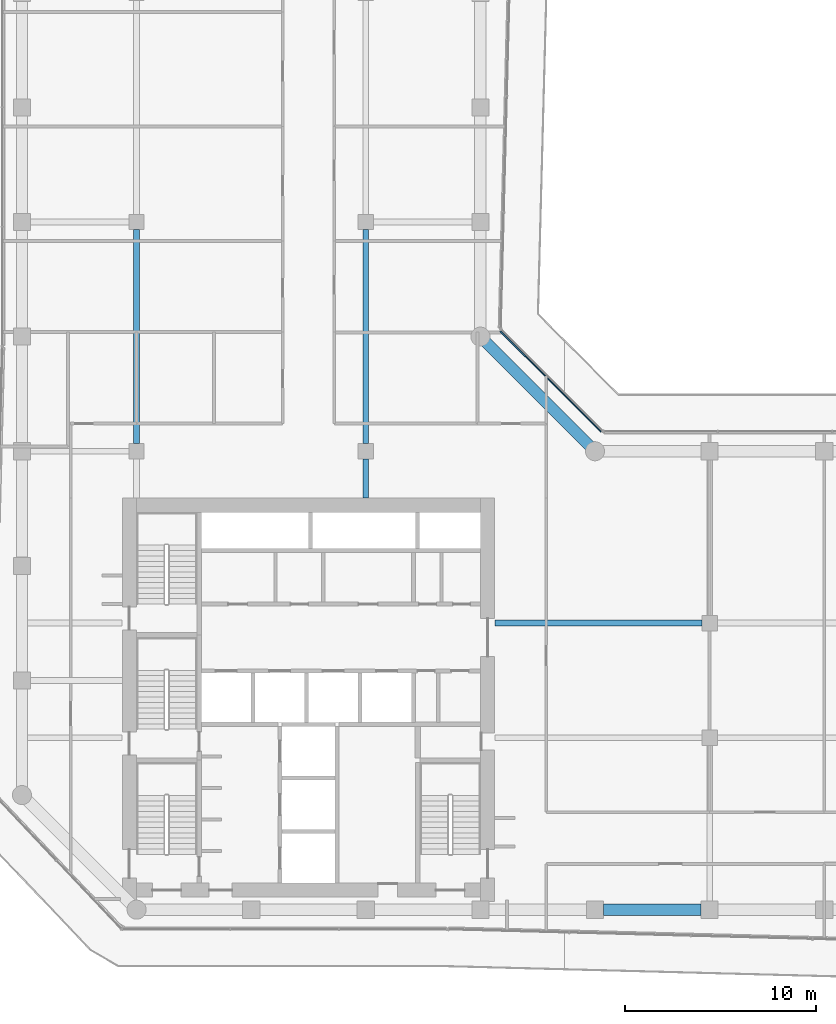
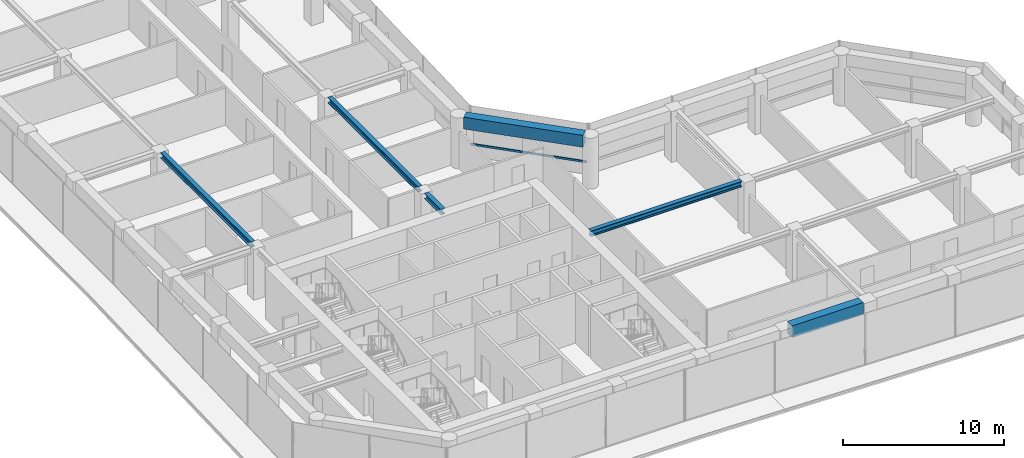
# One storey, part 5 of 23: 6 beams, 1 member, 1 element without a shape of its own.
"""IFC4 building model written with IfcOpenShell, lengths in metres."""

import ifcopenshell
import ifcopenshell.guid

model = None  # the IFC model being written
_history = None  # IfcOwnerHistory: only IFC2X3 demands one
_inside = {}  # id of a spatial element -> (the spatial element, [elements in it])
_under = {}  # id of a project, library or spatial element -> (it, [spatial elements below it])
_declared = {}  # id of a project -> (the project, [libraries it declares])
_typed = {}  # id of a type object -> (the type object, [elements of that type])
_made_of = {}  # id of a material, layer set ... -> (it, [elements and type objects made of it])


def new_model(schema):
    """Start an empty IFC model of exactly this schema.

    Asked for "IFC4X3", IfcOpenShell would pick the latest addendum, in which some entities
    have other attributes; the version numbers below select the first issue.
    IFC2X3 requires an IfcOwnerHistory on every rooted entity: one is made here for all.
    """
    global model, _history
    if schema == "IFC4X3":
        model = ifcopenshell.file(schema_version=(4, 3, 0, 0))
    else:
        model = ifcopenshell.file(schema=schema)
    _inside.clear()
    _under.clear()
    _declared.clear()
    _typed.clear()
    _made_of.clear()
    _history = None
    if model.schema == "IFC2X3":
        org = make("IfcOrganization", Name="unknown")
        user = make(
            "IfcPersonAndOrganization",
            ThePerson=make("IfcPerson", FamilyName="unknown"),
            TheOrganization=org,
        )
        app = make(
            "IfcApplication",
            ApplicationDeveloper=org,
            Version="unknown",
            ApplicationFullName="unknown",
            ApplicationIdentifier="unknown",
        )
        _history = make(
            "IfcOwnerHistory",
            OwningUser=user,
            OwningApplication=app,
            ChangeAction="ADDED",
            CreationDate=0,
        )
    return model


def make(cls, **values):
    """One entity of the class cls with the attributes given. An attribute that is None is left unset."""
    return model.create_entity(
        cls, **{name: value for name, value in values.items() if value is not None}
    )


def rooted(cls, **values):
    """An entity with a GlobalId (a new one), such as an element, a storey or a relation."""
    return make(cls, GlobalId=ifcopenshell.guid.new(), OwnerHistory=_history, **values)


def si_unit(unit_type, name, prefix=None):
    """IfcSIUnit, for example si_unit("LENGTHUNIT", "METRE", prefix="MILLI")."""
    return make("IfcSIUnit", UnitType=unit_type, Prefix=prefix, Name=name)


def assignment(units):
    """IfcUnitAssignment: the units of a project."""
    return None if units is None else make("IfcUnitAssignment", Units=units)


def point(xyz):
    """IfcCartesianPoint."""
    return None if xyz is None else make("IfcCartesianPoint", Coordinates=xyz)


def direction(xyz):
    """IfcDirection."""
    return None if xyz is None else make("IfcDirection", DirectionRatios=xyz)


def frame(location, z_axis=None, x_axis=None):
    """IfcAxis2Placement3D, a coordinate frame: its origin and axes. An axis left out is left unset."""
    return make(
        "IfcAxis2Placement3D",
        Location=point(location),
        Axis=direction(z_axis),
        RefDirection=direction(x_axis),
    )


def frame_2d(location, x_axis=None):
    """IfcAxis2Placement2D, a coordinate frame in the plane: its origin and x axis."""
    return make(
        "IfcAxis2Placement2D", Location=point(location), RefDirection=direction(x_axis)
    )


def origin():
    """The frame at (0, 0, 0) with its axes left unset."""
    return frame((0.0, 0.0, 0.0))


def origin_2d():
    """The frame at (0, 0) in the plane with its x axis left unset."""
    return frame_2d((0.0, 0.0))


def place(relative_to, where):
    """IfcLocalPlacement: puts the frame where relative to a parent placement (None: the world)."""
    return make(
        "IfcLocalPlacement", PlacementRelTo=relative_to, RelativePlacement=where
    )


def context(
    kind, dimensions, precision=None, world=None, true_north=None, identifier=None
):
    """IfcGeometricRepresentationContext, for example the 3D "Model" context."""
    return make(
        "IfcGeometricRepresentationContext",
        ContextIdentifier=identifier,
        ContextType=kind,
        CoordinateSpaceDimension=dimensions,
        Precision=precision,
        WorldCoordinateSystem=world,
        TrueNorth=true_north,
    )


def subcontext(parent, identifier, kind, view, scale=None):
    """IfcGeometricRepresentationSubContext, for example "Body" below "Model"."""
    return make(
        "IfcGeometricRepresentationSubContext",
        ContextIdentifier=identifier,
        ContextType=kind,
        ParentContext=parent,
        TargetScale=scale,
        TargetView=view,
    )


def project(units=None, contexts=None):
    """IfcProject with its units and contexts."""
    return rooted(
        "IfcProject",
        Name="project",
        RepresentationContexts=contexts,
        UnitsInContext=assignment(units),
    )


def spatial(cls, under=None, at=None, **own):
    """A site, building, storey or space (cls), placed at a placement, below another one or the project."""
    s = rooted(cls, ObjectPlacement=at, **own)
    if under is not None:
        _under.setdefault(under.id(), (under, []))[1].append(s)
    return s


def profile(cls, at=None, kind="AREA", **sizes):
    """A parametric profile (cls). Its sizes go by their IFC names, for example OverallWidth=200.0."""
    return make(cls, ProfileType=kind, Position=at, **sizes)


def rectangle(**sizes):
    """IfcRectangleProfileDef."""
    return profile("IfcRectangleProfileDef", **sizes)


def i_section(**sizes):
    """IfcIShapeProfileDef."""
    return profile("IfcIShapeProfileDef", **sizes)


def extrude(swept, where, along, depth):
    """IfcExtrudedAreaSolid: the profile swept, set in the frame where, extruded along a direction by depth."""
    return make(
        "IfcExtrudedAreaSolid",
        SweptArea=swept,
        Position=where,
        ExtrudedDirection=direction(along),
        Depth=depth,
    )


def shape(context_of_items, identifier, shape_type, items):
    """IfcShapeRepresentation: the items that make up one representation, for example the "Body"."""
    return make(
        "IfcShapeRepresentation",
        ContextOfItems=context_of_items,
        RepresentationIdentifier=identifier,
        RepresentationType=shape_type,
        Items=items,
    )


def material(Name=None, Category=None):
    """IfcMaterial."""
    return make("IfcMaterial", Name=Name, Category=Category)


def layer(
    of_material, thickness, ventilated=None, Name=None, Category=None, Priority=None
):
    """IfcMaterialLayer: one layer of a wall or slab, of a material (None: an air gap)."""
    return make(
        "IfcMaterialLayer",
        Material=of_material,
        LayerThickness=thickness,
        IsVentilated=ventilated,
        Name=Name,
        Category=Category,
        Priority=Priority,
    )


def layer_set(layers, Name=None):
    """IfcMaterialLayerSet."""
    return make("IfcMaterialLayerSet", MaterialLayers=layers, LayerSetName=Name)


def material_profile(
    of_material, cross_section, Name=None, Category=None, Priority=None
):
    """IfcMaterialProfile: a cross section and its material."""
    return make(
        "IfcMaterialProfile",
        Name=Name,
        Material=of_material,
        Profile=cross_section,
        Priority=Priority,
        Category=Category,
    )


def profile_set(profiles, Name=None, composite=None):
    """IfcMaterialProfileSet."""
    return make(
        "IfcMaterialProfileSet",
        Name=Name,
        MaterialProfiles=profiles,
        CompositeProfile=composite,
    )


def made_of(thing, what):
    """Note that an element or type object is made of a material, layer set ...; save() writes the relation."""
    if what is not None:
        _made_of.setdefault(what.id(), (what, []))[1].append(thing)
    return thing


def type_object(cls, material=None, **own):
    """A type object (cls), such as IfcWallType, which elements share."""
    return made_of(rooted(cls, **own), material)


def element(
    cls,
    number,
    at=None,
    inside=None,
    cuts=None,
    type_object=None,
    material=None,
    context=None,
    identifier="Body",
    shape_type=None,
    held_by="IfcProductDefinitionShape",
    body=None,
    shapes=None,
    **own,
):
    """One element of the class cls, such as IfcWall. Its Tag is "e" and its number.

    at: its placement. inside: the storey or other place that contains it. cuts: it is an
    opening in that element (IfcRelVoidsElement). A single representation is given by context,
    identifier, shape_type and body (its items); several are given by shapes. held_by: the class
    of the entity that holds the representations. save() writes the other relations.
    """
    e = rooted(cls, Tag="e%d" % number, ObjectPlacement=at, **own)
    if body is not None:
        shapes = [shape(context, identifier, shape_type, body)]
    if shapes is not None:
        e.Representation = make(held_by, Representations=shapes)
    if inside is not None:
        _inside.setdefault(inside.id(), (inside, []))[1].append(e)
    if cuts is not None:
        rooted(
            "IfcRelVoidsElement", RelatingBuildingElement=cuts, RelatedOpeningElement=e
        )
    if type_object is not None:
        _typed.setdefault(type_object.id(), (type_object, []))[1].append(e)
    return made_of(e, material)


def aggregate(whole, parts):
    """IfcRelAggregates: a whole, such as a stair, and the parts it consists of."""
    return rooted("IfcRelAggregates", RelatingObject=whole, RelatedObjects=parts)


def save(model, path):
    """Write the relations noted so far, then the file.

    IfcRelAggregates (storeys below a building ...), IfcRelContainedInSpatialStructure (elements
    in a storey), IfcRelDefinesByType, IfcRelAssociatesMaterial and IfcRelDeclares: one each for
    every whole, place, type object, material and project.
    """
    for whole, parts in _under.values():
        aggregate(whole, parts)
    for where, things in _inside.values():
        rooted(
            "IfcRelContainedInSpatialStructure",
            RelatedElements=things,
            RelatingStructure=where,
        )
    for kind, things in _typed.values():
        rooted("IfcRelDefinesByType", RelatedObjects=things, RelatingType=kind)
    for what, things in _made_of.values():
        rooted("IfcRelAssociatesMaterial", RelatedObjects=things, RelatingMaterial=what)
    for by, libraries in _declared.values():
        rooted("IfcRelDeclares", RelatingContext=by, RelatedDefinitions=libraries)
    model.write(path)


model = new_model("IFC4")

# Units and contexts
model_context = context("Model", 3, precision=1e-05, world=origin(), true_north=direction((0.0, 1.0)))
body_context = subcontext(model_context, "Body", "Model", "MODEL_VIEW")
ifc_project = project(units=[si_unit("LENGTHUNIT", "METRE"), si_unit("AREAUNIT", "SQUARE_METRE"), si_unit("VOLUMEUNIT", "CUBIC_METRE"), si_unit("PLANEANGLEUNIT", "RADIAN"), si_unit("MASSUNIT", "GRAM", prefix="KILO")], contexts=[model_context])

# Site, building, storey
site_placement = place(None, origin())
site = spatial("IfcSite", under=ifc_project, at=site_placement, CompositionType="ELEMENT")
building_placement = place(site_placement, origin())
building = spatial("IfcBuilding", under=site, at=building_placement, Name="Welwitschia Terrace Campus", CompositionType="ELEMENT")
storey_placement = place(building_placement, frame((0.0, 0.0, 117.199951171875)))
storey = spatial("IfcBuildingStorey", under=building, at=storey_placement, Name="L26", CompositionType="ELEMENT", Elevation=117.199951171875)

# Beams
ifc_material_1 = material(Name="Steel S355", Category="steel")
ifc_material_profile_1 = material_profile(ifc_material_1, i_section(OverallWidth=0.306884765625, OverallDepth=0.431884765625, WebThickness=0.02099609375, FlangeThickness=0.0400390625, FilletRadius=0.027099609375, at=origin_2d()))
ifc_profile_set_1 = profile_set([ifc_material_profile_1], Name="Steel S355")
beam_type_1 = type_object("IfcBeamType", Name="Interior girder HE 400 M", PredefinedType="BEAM", material=ifc_profile_set_1)
beam_1_placement = place(storey_placement, frame((24.7509765625, 19.0, 3.634033203125), z_axis=(1.0, 0.0, 0.0), x_axis=(0.0, 1.0, 0.0)))
element("IfcBeam", 1, at=beam_1_placement, inside=storey, type_object=beam_type_1, Name="Girder GB3", PredefinedType="BEAM", context=body_context, shape_type="SweptSolid", body=[
    extrude(i_section(OverallWidth=0.306884765625, OverallDepth=0.431884765625, WebThickness=0.02099609375, FlangeThickness=0.0400390625, FilletRadius=0.027099609375, at=origin_2d()), origin(), (0.0, 0.0, 1.0), 10.8486328125),
])
beam_2_placement = place(storey_placement, frame((6.0, 28.400390625, 3.634033203125), z_axis=(0.0, 1.0, 0.0), x_axis=(-1.0, 0.0, 0.0)))
element("IfcBeam", 2, at=beam_2_placement, inside=storey, type_object=beam_type_1, Name="Girder GB3", PredefinedType="BEAM", context=body_context, shape_type="SweptSolid", body=[
    extrude(i_section(OverallWidth=0.306884765625, OverallDepth=0.431884765625, WebThickness=0.02099609375, FlangeThickness=0.0400390625, FilletRadius=0.027099609375, at=origin_2d()), origin(), (0.0, 0.0, 1.0), 11.19921875),
])
beam_3_placement = place(storey_placement, frame((18.0, 25.551025390625, 3.634033203125), z_axis=(0.0, 1.0, 0.0), x_axis=(-1.0, 0.0, 0.0)))
element("IfcBeam", 3, at=beam_3_placement, inside=storey, type_object=beam_type_1, Name="Girder GB3", PredefinedType="BEAM", context=body_context, shape_type="SweptSolid", body=[
    extrude(i_section(OverallWidth=0.306884765625, OverallDepth=0.431884765625, WebThickness=0.02099609375, FlangeThickness=0.0400390625, FilletRadius=0.027099609375, at=origin_2d()), origin(), (0.0, 0.0, 1.0), 2.048583984375),
])
beam_4_placement = place(storey_placement, frame((18.0, 28.400390625, 3.634033203125), z_axis=(0.0, 1.0, 0.0), x_axis=(-1.0, 0.0, 0.0)))
element("IfcBeam", 4, at=beam_4_placement, inside=storey, type_object=beam_type_1, Name="Girder GB3", PredefinedType="BEAM", context=body_context, shape_type="SweptSolid", body=[
    extrude(i_section(OverallWidth=0.306884765625, OverallDepth=0.431884765625, WebThickness=0.02099609375, FlangeThickness=0.0400390625, FilletRadius=0.027099609375, at=origin_2d()), origin(), (0.0, 0.0, 1.0), 11.19921875),
])
ifc_material_2 = material(Name="Concrete C60/75", Category="concrete")
ifc_material_profile_2 = material_profile(ifc_material_2, rectangle(XDim=0.60009765625, YDim=0.89990234375, at=origin_2d()))
ifc_profile_set_2 = profile_set([ifc_material_profile_2], Name="Concrete C60/75")
beam_type_2 = type_object("IfcBeamType", Name="Ring spandrel 600x900", PredefinedType="SPANDREL", material=ifc_profile_set_2)
beam_5_placement = place(storey_placement, frame((30.450439453125, 4.0, 3.400146484375), z_axis=(1.0, 0.0, 0.0), x_axis=(0.0, 1.0, 0.0)))
element("IfcBeam", 5, at=beam_5_placement, inside=storey, type_object=beam_type_2, Name="Spandrel SP2", PredefinedType="SPANDREL", context=body_context, shape_type="SweptSolid", body=[
    extrude(rectangle(XDim=0.60009765625, YDim=0.89990234375, at=origin_2d()), origin(), (0.0, 0.0, 1.0), 5.09912109375),
])
beam_6_placement = place(storey_placement, frame((29.716796875, 28.283203125, 3.400146484375), z_axis=(-0.707106781187, 0.707106781187, 0.0), x_axis=(-0.707106781187, -0.707106781187, 0.0)))
element("IfcBeam", 6, at=beam_6_placement, inside=storey, type_object=beam_type_2, Name="Spandrel SP2", PredefinedType="SPANDREL", context=body_context, shape_type="SweptSolid", body=[
    extrude(rectangle(XDim=0.60009765625, YDim=0.89990234375, at=origin_2d()), origin(), (0.0, 0.0, 1.0), 7.684326171875),
])

# Curtain wall, member
ifc_material_3 = material(Name="Bronze anodised aluminium", Category="aluminium")
ifc_layer = layer(ifc_material_3, 0.1201171875)
ifc_layer_set = layer_set([ifc_layer], Name="Bronze anodised aluminium")
curtain_wall_type = type_object("IfcCurtainWallType", Name="Curtain wall CW2 tower 6000", PredefinedType="NOTDEFINED", material=ifc_layer_set)
curtain_wall_placement = place(storey_placement, origin())
curtain_wall = element("IfcCurtainWall", 7, at=curtain_wall_placement, inside=storey, type_object=curtain_wall_type, Name="CW L26.9.0", PredefinedType="NOTDEFINED")
ifc_material_4 = material(Name="Bronze anodised aluminium", Category="aluminium")
ifc_material_profile_3 = material_profile(ifc_material_4, rectangle(XDim=0.06005859375, YDim=0.14990234375, at=origin_2d()))
ifc_profile_set_3 = profile_set([ifc_material_profile_3], Name="Bronze anodised aluminium")
member_type = type_object("IfcMemberType", Name="Transom 60x150", PredefinedType="USERDEFINED", material=ifc_profile_set_3)
member_placement = place(storey_placement, frame((30.320556640625, 29.0087890625, 1.0), z_axis=(-0.707106781187, 0.707106781187, 0.0), x_axis=(-0.707106781187, -0.707106781187, 0.0)))
member = element("IfcMember", 8, at=member_placement, type_object=member_type, Name="Transom L26.9.0", ObjectType="TRANSOM", PredefinedType="USERDEFINED", context=body_context, shape_type="SweptSolid", body=[
    extrude(rectangle(XDim=0.06005859375, YDim=0.14990234375, at=origin_2d()), origin(), (0.0, 0.0, 1.0), 7.466064453125),
])
aggregate(curtain_wall, [member])

save(model, "model.ifc")
